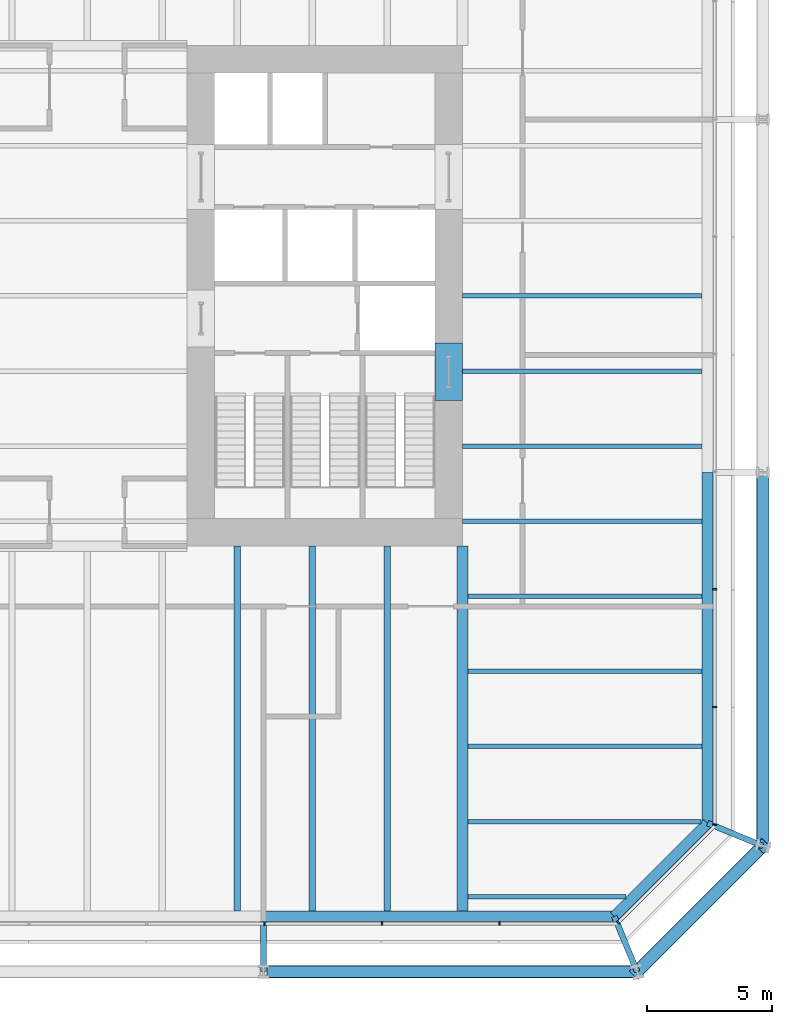
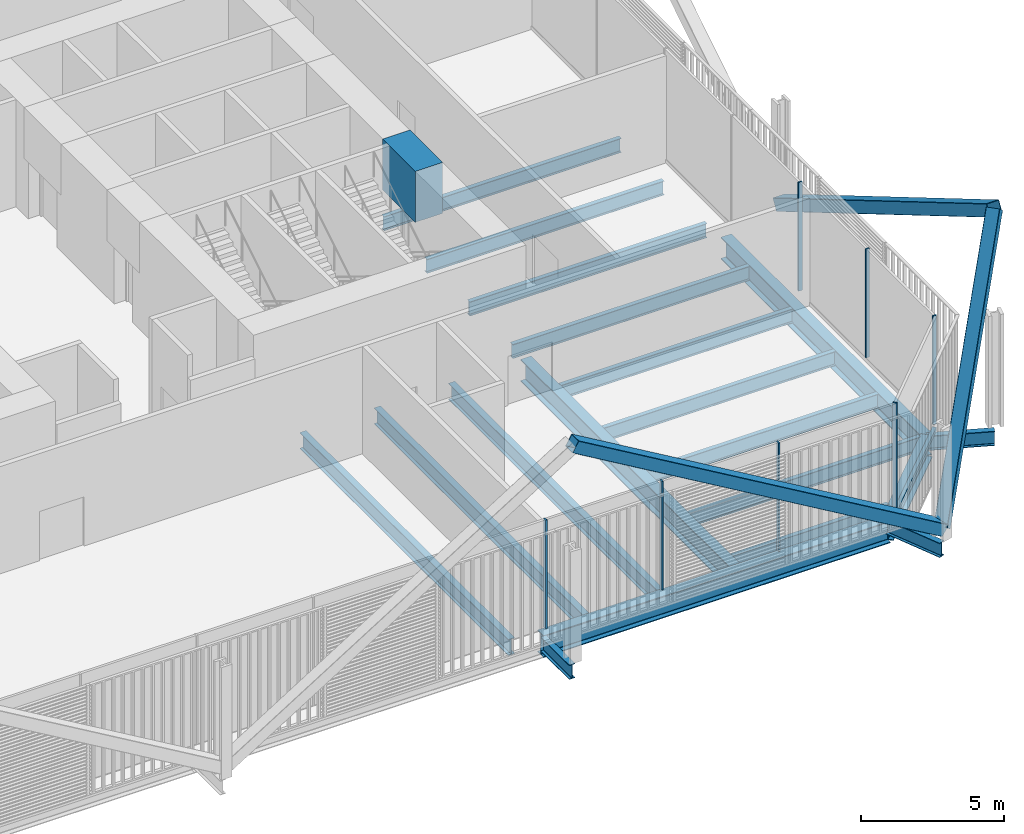
# One storey, part 8 of 22: 20 beams, 11 members, 3 elements without a shape of their own.
"""IFC4 building model written with IfcOpenShell, lengths in metres."""

from ifc_helpers import new_model, si_unit, direction, frame, origin, origin_2d, place, context, subcontext, project, spatial, rectangle, hollow_rectangle, i_section, extrude, material, layer, layer_set, material_profile, profile_set, type_object, element, aggregate, save


model = new_model("IFC4")

# Units and contexts
model_context = context("Model", 3, precision=1e-05, world=origin(), true_north=direction((0.0, 1.0)))
body_context = subcontext(model_context, "Body", "Model", "MODEL_VIEW")
ifc_project = project(units=[si_unit("LENGTHUNIT", "METRE"), si_unit("AREAUNIT", "SQUARE_METRE"), si_unit("VOLUMEUNIT", "CUBIC_METRE"), si_unit("PLANEANGLEUNIT", "RADIAN"), si_unit("MASSUNIT", "GRAM", prefix="KILO")], contexts=[model_context])

# Site, building, storey
site_placement = place(None, origin())
site = spatial("IfcSite", under=ifc_project, at=site_placement, CompositionType="ELEMENT")
building_placement = place(site_placement, origin())
building = spatial("IfcBuilding", under=site, at=building_placement, Name="Millrace Tower", CompositionType="ELEMENT")
storey_placement = place(building_placement, frame((0.0, 0.0, 54.5)))
storey = spatial("IfcBuildingStorey", under=building, at=storey_placement, Name="L12", CompositionType="ELEMENT", Elevation=54.5)

# Curtain wall, members
ifc_material_1 = material(Name="Aluminium and glass", Category="aluminium")
ifc_layer = layer(ifc_material_1, 0.14990234375)
ifc_layer_set = layer_set([ifc_layer], Name="Aluminium and glass")
curtain_wall_type = type_object("IfcCurtainWallType", Name="CW-2 data hall insulated curtain wall", PredefinedType="NOTDEFINED", material=ifc_layer_set)
placement = place(storey_placement, origin())
curtain_wall_1 = element("IfcCurtainWall", 1, at=placement, inside=storey, type_object=curtain_wall_type, Name="Curtain wall A-F02 L12", PredefinedType="NOTDEFINED")
ifc_material_2 = material(Name="Aluminium", Category="aluminium")
ifc_material_profile_1 = material_profile(ifc_material_2, rectangle(XDim=0.06494140625, YDim=0.14990234375, at=origin_2d()))
ifc_profile_set_1 = profile_set([ifc_material_profile_1], Name="Aluminium")
member_type_1 = type_object("IfcMemberType", Name="CW-2 data hall insulated curtain wall mullion", PredefinedType="MULLION", material=ifc_profile_set_1)
member_1_placement = place(storey_placement, frame((7.08251953125, -25.074951171875, 0.159912109375), z_axis=(0.0, 0.0, 1.0), x_axis=(1.0, 0.0, 0.0)))
member_1 = element("IfcMember", 2, at=member_1_placement, type_object=member_type_1, Name="CW2 mullion A-F02.7", PredefinedType="MULLION", context=body_context, shape_type="SweptSolid", body=[
    extrude(rectangle(XDim=0.06494140625, YDim=0.14990234375, at=origin_2d()), origin(), (0.0, 0.0, 1.0), 4.64013671875),
])
member_2_placement = place(storey_placement, frame((11.782470703125, -25.074951171875, 0.159912109375), z_axis=(0.0, 0.0, 1.0), x_axis=(1.0, 0.0, 0.0)))
member_2 = element("IfcMember", 3, at=member_2_placement, type_object=member_type_1, Name="CW2 mullion A-F02.8", PredefinedType="MULLION", context=body_context, shape_type="SweptSolid", body=[
    extrude(rectangle(XDim=0.06494140625, YDim=0.14990234375, at=origin_2d()), origin(), (0.0, 0.0, 1.0), 4.64013671875),
])
member_3_placement = place(storey_placement, frame((16.482421875, -25.074951171875, 0.159912109375), z_axis=(0.0, 0.0, 1.0), x_axis=(1.0, 0.0, 0.0)))
member_3 = element("IfcMember", 4, at=member_3_placement, type_object=member_type_1, Name="CW2 mullion A-F02.9", PredefinedType="MULLION", context=body_context, shape_type="SweptSolid", body=[
    extrude(rectangle(XDim=0.06494140625, YDim=0.14990234375, at=origin_2d()), origin(), (0.0, 0.0, 1.0), 4.64013671875),
])
aggregate(curtain_wall_1, [member_1, member_2, member_3])

# Curtain wall, member
curtain_wall_2 = element("IfcCurtainWall", 5, at=placement, inside=storey, type_object=curtain_wall_type, Name="Curtain wall A-F03 L12", PredefinedType="NOTDEFINED")
member_4_placement = place(storey_placement, frame((21.22607421875, -25.030029296875, 0.159912109375), z_axis=(0.0, 0.0, 1.0), x_axis=(0.707106781187, 0.707106781187, 0.0)))
member_4 = element("IfcMember", 6, at=member_4_placement, type_object=member_type_1, Name="CW2 mullion A-F03.1", PredefinedType="MULLION", context=body_context, shape_type="SweptSolid", body=[
    extrude(rectangle(XDim=0.06494140625, YDim=0.14990234375, at=origin_2d()), origin(), (0.0, 0.0, 1.0), 4.64013671875),
])

# Curtain wall, members
curtain_wall_3 = element("IfcCurtainWall", 7, at=placement, inside=storey, type_object=curtain_wall_type, Name="Curtain wall A-F04 L12", PredefinedType="NOTDEFINED")
member_5_placement = place(storey_placement, frame((25.074951171875, -21.117431640625, 0.159912109375), z_axis=(0.0, 0.0, 1.0), x_axis=(0.0, 1.0, 0.0)))
member_5 = element("IfcMember", 8, at=member_5_placement, type_object=member_type_1, Name="CW2 mullion A-F04.1", PredefinedType="MULLION", context=body_context, shape_type="SweptSolid", body=[
    extrude(rectangle(XDim=0.06494140625, YDim=0.14990234375, at=origin_2d()), origin(), (0.0, 0.0, 1.0), 4.64013671875),
])
member_6_placement = place(storey_placement, frame((25.074951171875, -16.41748046875, 0.159912109375), z_axis=(0.0, 0.0, 1.0), x_axis=(0.0, 1.0, 0.0)))
member_6 = element("IfcMember", 9, at=member_6_placement, type_object=member_type_1, Name="CW2 mullion A-F04.2", PredefinedType="MULLION", context=body_context, shape_type="SweptSolid", body=[
    extrude(rectangle(XDim=0.06494140625, YDim=0.14990234375, at=origin_2d()), origin(), (0.0, 0.0, 1.0), 4.64013671875),
])
member_7_placement = place(storey_placement, frame((25.074951171875, -11.717529296875, 0.159912109375), z_axis=(0.0, 0.0, 1.0), x_axis=(0.0, 1.0, 0.0)))
member_7 = element("IfcMember", 10, at=member_7_placement, type_object=member_type_1, Name="CW2 mullion A-F04.3", PredefinedType="MULLION", context=body_context, shape_type="SweptSolid", body=[
    extrude(rectangle(XDim=0.06494140625, YDim=0.14990234375, at=origin_2d()), origin(), (0.0, 0.0, 1.0), 4.64013671875),
])
aggregate(curtain_wall_3, [member_5, member_6, member_7])

# Member
ifc_material_3 = material(Name="Aluminium", Category="aluminium")
ifc_material_profile_2 = material_profile(ifc_material_3, rectangle(XDim=0.14990234375, YDim=0.159912109375, at=origin_2d()))
ifc_profile_set_2 = profile_set([ifc_material_profile_2], Name="Aluminium")
member_type_2 = type_object("IfcMemberType", Name="CW-2 data hall insulated curtain wall transom", PredefinedType="USERDEFINED", material=ifc_profile_set_2)
member_8_placement = place(storey_placement, frame((21.273681640625, -24.982421875, 0.080078125), z_axis=(0.707106781187, 0.707106781187, 0.0), x_axis=(-0.707106781187, 0.707106781187, 0.0)))
member_8 = element("IfcMember", 11, at=member_8_placement, type_object=member_type_2, Name="CW2 transom A-F03.1", ObjectType="TRANSOM", PredefinedType="USERDEFINED", context=body_context, shape_type="SweptSolid", body=[
    extrude(rectangle(XDim=0.14990234375, YDim=0.159912109375, at=origin_2d()), origin(), (0.0, 0.0, 1.0), 5.244873046875),
])

aggregate(curtain_wall_2, [member_4, member_8])

# Beam
ifc_material_4 = material(Name="Concrete C80", Category="concrete")
ifc_material_profile_3 = material_profile(ifc_material_4, rectangle(XDim=1.10009765625, YDim=2.175048828125, at=origin_2d()))
ifc_profile_set_3 = profile_set([ifc_material_profile_3], Name="Concrete C80")
beam_type_1 = type_object("IfcBeamType", Name="Coupling beam 1100 x 2175 Concrete C80, 1300 opening", PredefinedType="BEAM", material=ifc_profile_set_3)
beam_1_placement = place(storey_placement, frame((14.449951171875, -1.88818359375, 3.487548828125), z_axis=(0.0, -1.0, 0.0), x_axis=(1.0, 0.0, 0.0)))
element("IfcBeam", 12, at=beam_1_placement, inside=storey, type_object=beam_type_1, Name="Coupling beam E L12", PredefinedType="BEAM", context=body_context, shape_type="SweptSolid", body=[
    extrude(rectangle(XDim=1.10009765625, YDim=2.175048828125, at=origin_2d()), origin(), (0.0, 0.0, 1.0), 2.28369140625),
])

# Members
ifc_material_5 = material(Name="Steel ASTM A500 Grade C", Category="steel")
ifc_material_profile_4 = material_profile(ifc_material_5, hollow_rectangle(XDim=0.508056640625, YDim=0.508056640625, WallThickness=0.01904296875, InnerFilletRadius=0.009521484375, OuterFilletRadius=0.028564453125, at=origin_2d()))
ifc_profile_set_4 = profile_set([ifc_material_profile_4], Name="Steel ASTM A500 Grade C")
member_type_3 = type_object("IfcMemberType", Name="Exoskeleton brace HSS20x20x3/4", PredefinedType="BRACE", material=ifc_profile_set_4)
member_9_placement = place(storey_placement, frame((21.978515625, -27.0, 0.39990234375), z_axis=(-0.861464835883, 0.0, 0.507817227491), x_axis=(0.0, -1.0, 0.0)))
element("IfcMember", 13, at=member_9_placement, inside=storey, type_object=member_type_3, Name="BRC-A-L12-04", PredefinedType="BRACE", context=body_context, shape_type="SweptSolid", body=[
    extrude(hollow_rectangle(XDim=0.508056640625, YDim=0.508056640625, WallThickness=0.01904296875, InnerFilletRadius=0.009521484375, OuterFilletRadius=0.028564453125, at=origin_2d()), origin(), (0.0, 0.0, 1.0), 17.3291015625),
])
member_10_placement = place(storey_placement, frame((21.978515625, -27.0, 0.39990234375), z_axis=(0.444063713793, 0.444063713793, 0.77821259061), x_axis=(-0.707106781187, 0.707106781187, 0.0)))
element("IfcMember", 14, at=member_10_placement, inside=storey, type_object=member_type_3, Name="BRC-A-L12-05", PredefinedType="BRACE", context=body_context, shape_type="SweptSolid", body=[
    extrude(hollow_rectangle(XDim=0.508056640625, YDim=0.508056640625, WallThickness=0.01904296875, InnerFilletRadius=0.009521484375, OuterFilletRadius=0.028564453125, at=origin_2d()), origin(), (0.0, 0.0, 1.0), 11.30810546875),
])
member_11_placement = place(storey_placement, frame((27.0, -7.050048828125, 0.39990234375), z_axis=(0.0, -0.861464835883, 0.507817227491), x_axis=(1.0, 0.0, 0.0)))
element("IfcMember", 15, at=member_11_placement, inside=storey, type_object=member_type_3, Name="BRC-A-L12-06", PredefinedType="BRACE", context=body_context, shape_type="SweptSolid", body=[
    extrude(hollow_rectangle(XDim=0.508056640625, YDim=0.508056640625, WallThickness=0.01904296875, InnerFilletRadius=0.009521484375, OuterFilletRadius=0.028564453125, at=origin_2d()), origin(), (0.0, 0.0, 1.0), 17.3291015625),
])

# Beams
ifc_material_6 = material(Name="Steel ASTM A992 Grade 50", Category="steel")
ifc_material_profile_5 = material_profile(ifc_material_6, i_section(OverallWidth=0.177978515625, OverallDepth=0.599365234375, WebThickness=0.010009765625, FlangeThickness=0.012939453125, FilletRadius=0.012939453125, at=origin_2d()))
ifc_profile_set_5 = profile_set([ifc_material_profile_5], Name="Steel ASTM A992 Grade 50")
beam_type_2 = type_object("IfcBeamType", Name="Floor beam W24x55", PredefinedType="JOIST", material=ifc_profile_set_5)
beam_2_placement = place(storey_placement, frame((15.212158203125, -24.0, -0.524658203125), z_axis=(1.0, 0.0, 0.0), x_axis=(0.0, 1.0, 0.0)))
element("IfcBeam", 16, at=beam_2_placement, inside=storey, type_object=beam_type_2, Name="BM-A-L12-S1-S002", PredefinedType="JOIST", context=body_context, shape_type="SweptSolid", body=[
    extrude(i_section(OverallWidth=0.177978515625, OverallDepth=0.599365234375, WebThickness=0.010009765625, FlangeThickness=0.012939453125, FilletRadius=0.012939453125, at=origin_2d()), origin(), (0.0, 0.0, 1.0), 6.317626953125),
])
ifc_material_7 = material(Name="Steel ASTM A992 Grade 50", Category="steel")
ifc_material_profile_6 = material_profile(ifc_material_7, i_section(OverallWidth=0.1787109375, OverallDepth=0.60205078125, WebThickness=0.010986328125, FlangeThickness=0.014892578125, FilletRadius=0.0126953125, at=origin_2d()))
ifc_profile_set_6 = profile_set([ifc_material_profile_6], Name="Steel ASTM A992 Grade 50")
beam_type_3 = type_object("IfcBeamType", Name="Floor beam W24x62", PredefinedType="JOIST", material=ifc_profile_set_6)
for number, where, z_axis, x_axis, name in (
    (17, (15.212158203125, -18.0, -0.52587890625), (1.0, 0.0, 0.0), (0.0, 1.0, 0.0), "BM-A-L12-S1-S006"),
    (18, (15.212158203125, -15.0, -0.52587890625), (1.0, 0.0, 0.0), (0.0, 1.0, 0.0), "BM-A-L12-S1-S008"),
    (19, (15.212158203125, -12.0, -0.52587890625), (1.0, 0.0, 0.0), (0.0, 1.0, 0.0), "BM-A-L12-S1-S010"),
):
    element("IfcBeam", number, at=place(storey_placement, frame(where, z_axis=z_axis, x_axis=x_axis)), inside=storey, type_object=beam_type_3, Name=name, PredefinedType="JOIST", context=body_context, shape_type="SweptSolid", body=[
        extrude(i_section(OverallWidth=0.1787109375, OverallDepth=0.60205078125, WebThickness=0.010986328125, FlangeThickness=0.014892578125, FilletRadius=0.0126953125, at=origin_2d()), origin(), (0.0, 0.0, 1.0), 9.3662109375),
    ])
for number, where, z_axis, x_axis, name in (
    (20, (15.0, -9.0, -0.52587890625), (1.0, 0.0, 0.0), (0.0, 1.0, 0.0), "BM-A-L12-S1-S013"),
    (21, (15.0, -6.0, -0.52587890625), (1.0, 0.0, 0.0), (0.0, 1.0, 0.0), "BM-A-L12-S1-S016"),
    (22, (15.0, -3.0, -0.52587890625), (1.0, 0.0, 0.0), (0.0, 1.0, 0.0), "BM-A-L12-S1-S019"),
    (23, (15.0, 0.0, -0.52587890625), (1.0, 0.0, 0.0), (0.0, 1.0, 0.0), "BM-A-L12-S1-S022"),
):
    element("IfcBeam", number, at=place(storey_placement, frame(where, z_axis=z_axis, x_axis=x_axis)), inside=storey, type_object=beam_type_3, Name=name, PredefinedType="JOIST", context=body_context, shape_type="SweptSolid", body=[
        extrude(i_section(OverallWidth=0.1787109375, OverallDepth=0.60205078125, WebThickness=0.010986328125, FlangeThickness=0.014892578125, FilletRadius=0.0126953125, at=origin_2d()), origin(), (0.0, 0.0, 1.0), 9.578369140625),
    ])
beam_3_placement = place(storey_placement, frame((15.212158203125, -21.0, -0.52587890625), z_axis=(1.0, 0.0, 0.0), x_axis=(0.0, 1.0, 0.0)))
element("IfcBeam", 24, at=beam_3_placement, inside=storey, type_object=beam_type_3, Name="BM-A-L12-S1-S004", PredefinedType="JOIST", context=body_context, shape_type="SweptSolid", body=[
    extrude(i_section(OverallWidth=0.1787109375, OverallDepth=0.60205078125, WebThickness=0.010986328125, FlangeThickness=0.014892578125, FilletRadius=0.0126953125, at=origin_2d()), origin(), (0.0, 0.0, 1.0), 9.317626953125),
])
ifc_material_8 = material(Name="Steel ASTM A992 Grade 50", Category="steel")
ifc_material_profile_7 = material_profile(ifc_material_8, i_section(OverallWidth=0.256591796875, OverallDepth=0.693359375, WebThickness=0.014404296875, FlangeThickness=0.023681640625, FilletRadius=0.01513671875, at=origin_2d()))
ifc_profile_set_7 = profile_set([ifc_material_profile_7], Name="Steel ASTM A992 Grade 50")
beam_type_4 = type_object("IfcBeamType", Name="Floor beam W27x114", PredefinedType="JOIST", material=ifc_profile_set_7)
for number, where, z_axis, x_axis, name in (
    (25, (6.0, -24.578369140625, -0.57177734375), (0.0, 1.0, 0.0), (-1.0, 0.0, 0.0), "BM-A-L12-S1-S055"),
    (26, (9.0, -24.578369140625, -0.57177734375), (0.0, 1.0, 0.0), (-1.0, 0.0, 0.0), "BM-A-L12-S1-S057"),
    (27, (12.0, -24.578369140625, -0.57177734375), (0.0, 1.0, 0.0), (-1.0, 0.0, 0.0), "BM-A-L12-S1-S059"),
):
    element("IfcBeam", number, at=place(storey_placement, frame(where, z_axis=z_axis, x_axis=x_axis)), inside=storey, type_object=beam_type_4, Name=name, PredefinedType="JOIST", context=body_context, shape_type="SweptSolid", body=[
        extrude(i_section(OverallWidth=0.256591796875, OverallDepth=0.693359375, WebThickness=0.014404296875, FlangeThickness=0.023681640625, FilletRadius=0.01513671875, at=origin_2d()), origin(), (0.0, 0.0, 1.0), 14.578369140625),
    ])
ifc_material_9 = material(Name="Steel ASTM A992 Grade 50", Category="steel")
ifc_material_profile_8 = material_profile(ifc_material_9, i_section(OverallWidth=0.424072265625, OverallDepth=0.947509765625, WebThickness=0.02392578125, FlangeThickness=0.042724609375, FilletRadius=0.024169921875, at=origin_2d()))
ifc_profile_set_8 = profile_set([ifc_material_profile_8], Name="Steel ASTM A992 Grade 50")
beam_type_5 = type_object("IfcBeamType", Name="Girder medium span W36x302", PredefinedType="BEAM", material=ifc_profile_set_8)
beam_4_placement = place(storey_placement, frame((15.0, -24.578369140625, -0.69873046875), z_axis=(0.0, 1.0, 0.0), x_axis=(-1.0, 0.0, 0.0)))
element("IfcBeam", 28, at=beam_4_placement, inside=storey, type_object=beam_type_5, Name="BM-A-L12-S1-G063", PredefinedType="BEAM", context=body_context, shape_type="SweptSolid", body=[
    extrude(i_section(OverallWidth=0.424072265625, OverallDepth=0.947509765625, WebThickness=0.02392578125, FlangeThickness=0.042724609375, FilletRadius=0.024169921875, at=origin_2d()), origin(), (0.0, 0.0, 1.0), 14.578369140625),
])
ifc_material_10 = material(Name="Steel ASTM A992 Grade 50", Category="steel")
ifc_material_profile_9 = material_profile(ifc_material_10, i_section(OverallWidth=0.23046875, OverallDepth=0.6171875, WebThickness=0.01318359375, FlangeThickness=0.022216796875, FilletRadius=0.012939453125, at=origin_2d()))
ifc_profile_set_9 = profile_set([ifc_material_profile_9], Name="Steel ASTM A992 Grade 50")
beam_type_6 = type_object("IfcBeamType", Name="Link beam W24x94", PredefinedType="BEAM", material=ifc_profile_set_9)
for number, where, z_axis, x_axis, name in (
    (29, (24.7890625, -21.062744140625, -0.53369140625), (0.923883789366, -0.382673155247, 0.0), (0.382673155247, 0.923883789366, 0.0), "LNK-A-L12-S1-12"),
    (30, (21.062744140625, -24.7890625, -0.53369140625), (0.382673155247, -0.923883789366, 0.0), (0.923883789366, 0.382673155247, 0.0), "LNK-A-L12-S1-13"),
):
    element("IfcBeam", number, at=place(storey_placement, frame(where, z_axis=z_axis, x_axis=x_axis)), inside=storey, type_object=beam_type_6, Name=name, PredefinedType="BEAM", context=body_context, shape_type="SweptSolid", body=[
        extrude(i_section(OverallWidth=0.23046875, OverallDepth=0.6171875, WebThickness=0.01318359375, FlangeThickness=0.022216796875, FilletRadius=0.012939453125, at=origin_2d()), origin(), (0.0, 0.0, 1.0), 2.39306640625),
    ])
beam_5_placement = place(storey_placement, frame((7.050048828125, -25.0, -0.53369140625), z_axis=(0.0, -1.0, 0.0), x_axis=(1.0, 0.0, 0.0)))
element("IfcBeam", 31, at=beam_5_placement, inside=storey, type_object=beam_type_6, Name="LNK-A-L12-S1-14", PredefinedType="BEAM", context=body_context, shape_type="SweptSolid", body=[
    extrude(i_section(OverallWidth=0.23046875, OverallDepth=0.6171875, WebThickness=0.01318359375, FlangeThickness=0.022216796875, FilletRadius=0.012939453125, at=origin_2d()), origin(), (0.0, 0.0, 1.0), 2.0),
])
ifc_material_11 = material(Name="Steel ASTM A992 Grade 50", Category="steel")
ifc_material_profile_10 = material_profile(ifc_material_11, i_section(OverallWidth=0.421630859375, OverallDepth=0.937255859375, WebThickness=0.021240234375, FlangeThickness=0.03662109375, FilletRadius=0.024169921875, at=origin_2d()))
ifc_profile_set_10 = profile_set([ifc_material_profile_10], Name="Steel ASTM A992 Grade 50")
beam_type_7 = type_object("IfcBeamType", Name="Ring beam medium span W36x262", PredefinedType="SPANDREL", material=ifc_profile_set_10)
for number, where, z_axis, x_axis, name in (
    (32, (24.7890625, -7.050048828125, -0.693603515625), (0.0, -1.0, 0.0), (1.0, 0.0, 0.0), "RNG-A-L12-S1-11"),
    (33, (21.062744140625, -24.7890625, -0.693603515625), (-1.0, 0.0, 0.0), (0.0, -1.0, 0.0), "RNG-A-L12-S1-13"),
):
    element("IfcBeam", number, at=place(storey_placement, frame(where, z_axis=z_axis, x_axis=x_axis)), inside=storey, type_object=beam_type_7, Name=name, PredefinedType="SPANDREL", context=body_context, shape_type="SweptSolid", body=[
        extrude(i_section(OverallWidth=0.421630859375, OverallDepth=0.937255859375, WebThickness=0.021240234375, FlangeThickness=0.03662109375, FilletRadius=0.024169921875, at=origin_2d()), origin(), (0.0, 0.0, 1.0), 14.0126953125),
    ])
ifc_material_12 = material(Name="Steel ASTM A992 Grade 50", Category="steel")
ifc_material_profile_11 = material_profile(ifc_material_12, i_section(OverallWidth=0.421630859375, OverallDepth=0.937255859375, WebThickness=0.021240234375, FlangeThickness=0.03662109375, FilletRadius=0.024169921875, at=origin_2d()))
ifc_profile_set_11 = profile_set([ifc_material_profile_11], Name="Steel ASTM A992 Grade 50")
beam_type_8 = type_object("IfcBeamType", Name="Ring beam short span W36x262", PredefinedType="SPANDREL", material=ifc_profile_set_11)
beam_6_placement = place(storey_placement, frame((24.7890625, -21.062744140625, -0.693603515625), z_axis=(-0.707106781187, -0.707106781187, 0.0), x_axis=(0.707106781187, -0.707106781187, 0.0)))
element("IfcBeam", 34, at=beam_6_placement, inside=storey, type_object=beam_type_8, Name="RNG-A-L12-S1-12", PredefinedType="SPANDREL", context=body_context, shape_type="SweptSolid", body=[
    extrude(i_section(OverallWidth=0.421630859375, OverallDepth=0.937255859375, WebThickness=0.021240234375, FlangeThickness=0.03662109375, FilletRadius=0.024169921875, at=origin_2d()), origin(), (0.0, 0.0, 1.0), 5.269775390625),
])

save(model, "model.ifc")
